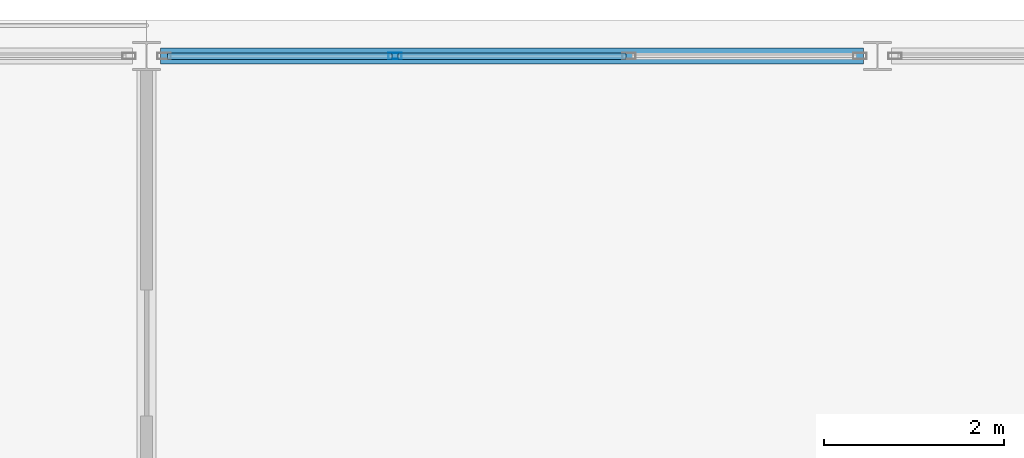
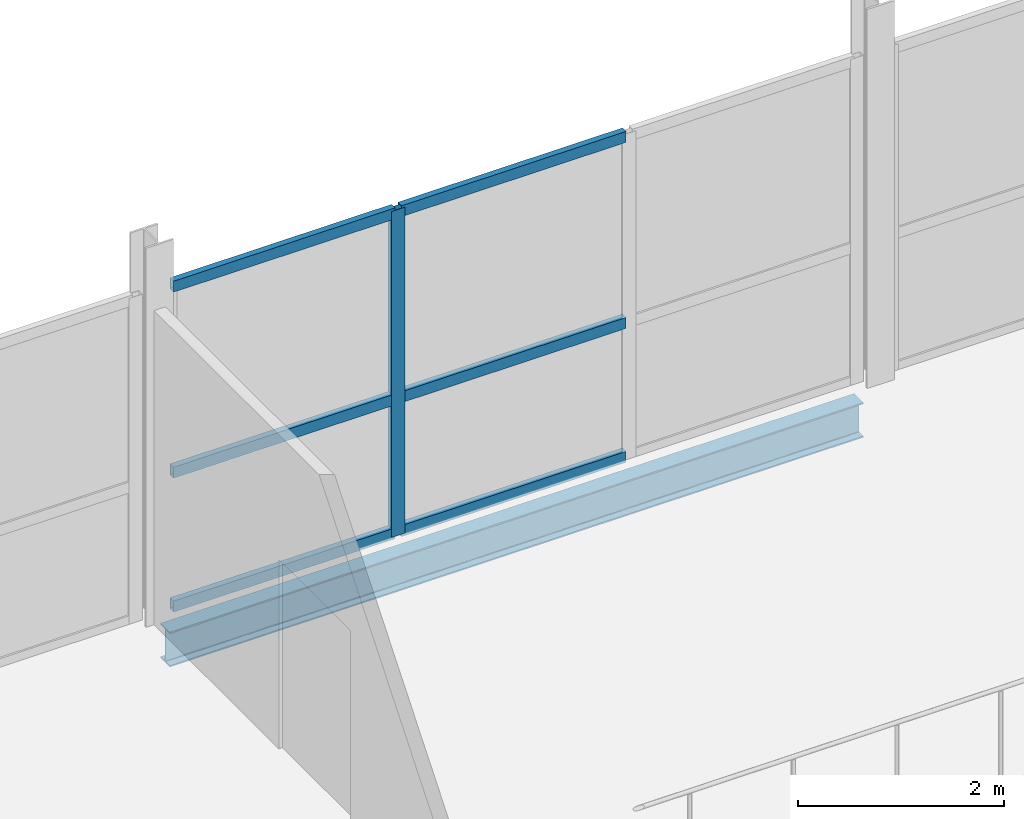
# One storey, part 50 of 77: 7 members, 1 beam, 1 element without a shape of its own.
"""IFC4 building model written with IfcOpenShell, lengths in metres."""

from ifc_helpers import new_model, si_unit, direction, frame, origin, origin_2d, place, context, subcontext, project, spatial, hollow_rectangle, i_section, extrude, material, layer, layer_set, material_profile, profile_set, type_object, element, aggregate, save


model = new_model("IFC4")

# Units and contexts
model_context = context("Model", 3, precision=1e-05, world=origin(), true_north=direction((0.0, 1.0)))
body_context = subcontext(model_context, "Body", "Model", "MODEL_VIEW")
ifc_project = project(units=[si_unit("LENGTHUNIT", "METRE"), si_unit("AREAUNIT", "SQUARE_METRE"), si_unit("VOLUMEUNIT", "CUBIC_METRE"), si_unit("PLANEANGLEUNIT", "RADIAN"), si_unit("MASSUNIT", "GRAM", prefix="KILO")], contexts=[model_context])

# Site, building, storey
site_placement = place(None, origin())
site = spatial("IfcSite", under=ifc_project, at=site_placement, CompositionType="ELEMENT")
building_placement = place(site_placement, origin())
building = spatial("IfcBuilding", under=site, at=building_placement, Name="Quillay Park Conservatory", CompositionType="ELEMENT")
storey_placement = place(building_placement, frame((0.0, 0.0, 5.39990234375)))
storey = spatial("IfcBuildingStorey", under=building, at=storey_placement, Name="L01", CompositionType="ELEMENT", Elevation=5.39990234375)

# Curtain wall, members
ifc_material_1 = material(Name="Thermally Broken Anodised Aluminium 6063-T6", Category="aluminium")
ifc_layer = layer(ifc_material_1, 0.1650390625)
ifc_layer_set = layer_set([ifc_layer], Name="UNITISED CURTAIN WALL PODIUM (Thermally Broken Anodised Aluminium 6063-T6)")
curtain_wall_type = type_object("IfcCurtainWallType", Name="UNITISED CURTAIN WALL PODIUM", PredefinedType="USERDEFINED", material=ifc_layer_set)
curtain_wall_placement = place(storey_placement, origin())
curtain_wall = element("IfcCurtainWall", 1, at=curtain_wall_placement, inside=storey, type_object=curtain_wall_type, Name="L01 Unitised Curtain Wall 220", ObjectType="UNITISED CURTAIN WALL", PredefinedType="USERDEFINED")
ifc_material_2 = material(Name="Thermally Broken Anodised Aluminium 6063-T6", Category="aluminium")
ifc_material_profile_1 = material_profile(ifc_material_2, hollow_rectangle(XDim=0.070068359375, YDim=0.14990234375, WallThickness=0.00341796875, at=origin_2d()), Name="AL70x150x3.5")
ifc_profile_set_1 = profile_set([ifc_material_profile_1], Name="Thermally Broken Anodised Aluminium 6063-T6")
member_type_1 = type_object("IfcMemberType", Name="CURTAIN WALL MULLION 70 X150", PredefinedType="MULLION", material=ifc_profile_set_1)
member_1_placement = place(storey_placement, frame((126.353271484375, 113.39990234375, 0.0), z_axis=(0.0, 0.0, 1.0), x_axis=(0.0, 1.0, 0.0)))
member_1 = element("IfcMember", 2, at=member_1_placement, type_object=member_type_1, Name="CW-P1 mullion 2", PredefinedType="MULLION", context=body_context, shape_type="SweptSolid", body=[
    extrude(hollow_rectangle(XDim=0.070068359375, YDim=0.14990234375, WallThickness=0.00341796875, at=origin_2d()), origin(), (0.0, 0.0, 1.0), 3.869140625),
])
ifc_material_3 = material(Name="Thermally Broken Anodised Aluminium 6063-T6", Category="aluminium")
ifc_material_profile_2 = material_profile(ifc_material_3, hollow_rectangle(XDim=0.070068359375, YDim=0.1298828125, WallThickness=0.003173828125, at=origin_2d()), Name="AL70x130x3.2")
ifc_profile_set_2 = profile_set([ifc_material_profile_2], Name="Thermally Broken Anodised Aluminium 6063-T6")
member_type_2 = type_object("IfcMemberType", Name="CURTAIN WALL TRANSOM 70 X130", PredefinedType="USERDEFINED", material=ifc_profile_set_2)
member_2_placement = place(storey_placement, frame((123.830078125, 113.39990234375, 0.03515625), z_axis=(1.0, 0.0, 0.0), x_axis=(0.0, 1.0, 0.0)))
member_2 = element("IfcMember", 3, at=member_2_placement, type_object=member_type_2, Name="CW-P1 transom 1.1", ObjectType="TRANSOM", PredefinedType="USERDEFINED", context=body_context, shape_type="SweptSolid", body=[
    extrude(hollow_rectangle(XDim=0.070068359375, YDim=0.1298828125, WallThickness=0.003173828125, at=origin_2d()), origin(), (0.0, 0.0, 1.0), 2.48828125),
])
member_3_placement = place(storey_placement, frame((123.830078125, 113.39990234375, 1.625), z_axis=(1.0, 0.0, 0.0), x_axis=(0.0, 1.0, 0.0)))
member_3 = element("IfcMember", 4, at=member_3_placement, type_object=member_type_2, Name="CW-P1 transom 1.2", ObjectType="TRANSOM", PredefinedType="USERDEFINED", context=body_context, shape_type="SweptSolid", body=[
    extrude(hollow_rectangle(XDim=0.070068359375, YDim=0.1298828125, WallThickness=0.003173828125, at=origin_2d()), origin(), (0.0, 0.0, 1.0), 2.48828125),
])
member_4_placement = place(storey_placement, frame((123.830078125, 113.39990234375, 3.833984375), z_axis=(1.0, 0.0, 0.0), x_axis=(0.0, 1.0, 0.0)))
member_4 = element("IfcMember", 5, at=member_4_placement, type_object=member_type_2, Name="CW-P1 transom 1.3", ObjectType="TRANSOM", PredefinedType="USERDEFINED", context=body_context, shape_type="SweptSolid", body=[
    extrude(hollow_rectangle(XDim=0.070068359375, YDim=0.1298828125, WallThickness=0.003173828125, at=origin_2d()), origin(), (0.0, 0.0, 1.0), 2.48828125),
])
member_5_placement = place(storey_placement, frame((126.388427734375, 113.39990234375, 0.03515625), z_axis=(1.0, 0.0, 0.0), x_axis=(0.0, 1.0, 0.0)))
member_5 = element("IfcMember", 6, at=member_5_placement, type_object=member_type_2, Name="CW-P1 transom 2.1", ObjectType="TRANSOM", PredefinedType="USERDEFINED", context=body_context, shape_type="SweptSolid", body=[
    extrude(hollow_rectangle(XDim=0.070068359375, YDim=0.1298828125, WallThickness=0.003173828125, at=origin_2d()), origin(), (0.0, 0.0, 1.0), 2.523193359375),
])
member_6_placement = place(storey_placement, frame((126.388427734375, 113.39990234375, 1.625), z_axis=(1.0, 0.0, 0.0), x_axis=(0.0, 1.0, 0.0)))
member_6 = element("IfcMember", 7, at=member_6_placement, type_object=member_type_2, Name="CW-P1 transom 2.2", ObjectType="TRANSOM", PredefinedType="USERDEFINED", context=body_context, shape_type="SweptSolid", body=[
    extrude(hollow_rectangle(XDim=0.070068359375, YDim=0.1298828125, WallThickness=0.003173828125, at=origin_2d()), origin(), (0.0, 0.0, 1.0), 2.523193359375),
])
member_7_placement = place(storey_placement, frame((126.388427734375, 113.39990234375, 3.833984375), z_axis=(1.0, 0.0, 0.0), x_axis=(0.0, 1.0, 0.0)))
member_7 = element("IfcMember", 8, at=member_7_placement, type_object=member_type_2, Name="CW-P1 transom 2.3", ObjectType="TRANSOM", PredefinedType="USERDEFINED", context=body_context, shape_type="SweptSolid", body=[
    extrude(hollow_rectangle(XDim=0.070068359375, YDim=0.1298828125, WallThickness=0.003173828125, at=origin_2d()), origin(), (0.0, 0.0, 1.0), 2.523193359375),
])
aggregate(curtain_wall, [member_1, member_2, member_3, member_4, member_5, member_6, member_7])

# Beam
ifc_material_4 = material(Name="Steel ASTM A992 Grade 50", Category="steel")
ifc_material_profile_3 = material_profile(ifc_material_4, i_section(OverallWidth=0.179931640625, OverallDepth=0.4130859375, WebThickness=0.009765625, FlangeThickness=0.01611328125, FilletRadius=0.011962890625, at=origin_2d()), Name="W410x74")
ifc_profile_set_3 = profile_set([ifc_material_profile_3], Name="Steel ASTM A992 Grade 50")
beam_type = type_object("IfcBeamType", Name="PERIMETER SPANDREL BEAM W410 X74", PredefinedType="SPANDREL", material=ifc_profile_set_3)
beam_placement = place(storey_placement, frame((123.7548828125, 113.39990234375, -0.41650390625), z_axis=(1.0, 0.0, 0.0), x_axis=(0.0, 1.0, 0.0)))
element("IfcBeam", 9, at=beam_placement, inside=storey, type_object=beam_type, Name="L01 beam BM-V2P-1706", PredefinedType="SPANDREL", context=body_context, shape_type="SweptSolid", body=[
    extrude(i_section(OverallWidth=0.179931640625, OverallDepth=0.4130859375, WebThickness=0.009765625, FlangeThickness=0.01611328125, FilletRadius=0.011962890625, at=origin_2d()), origin(), (0.0, 0.0, 1.0), 7.7900390625),
])

save(model, "model.ifc")
